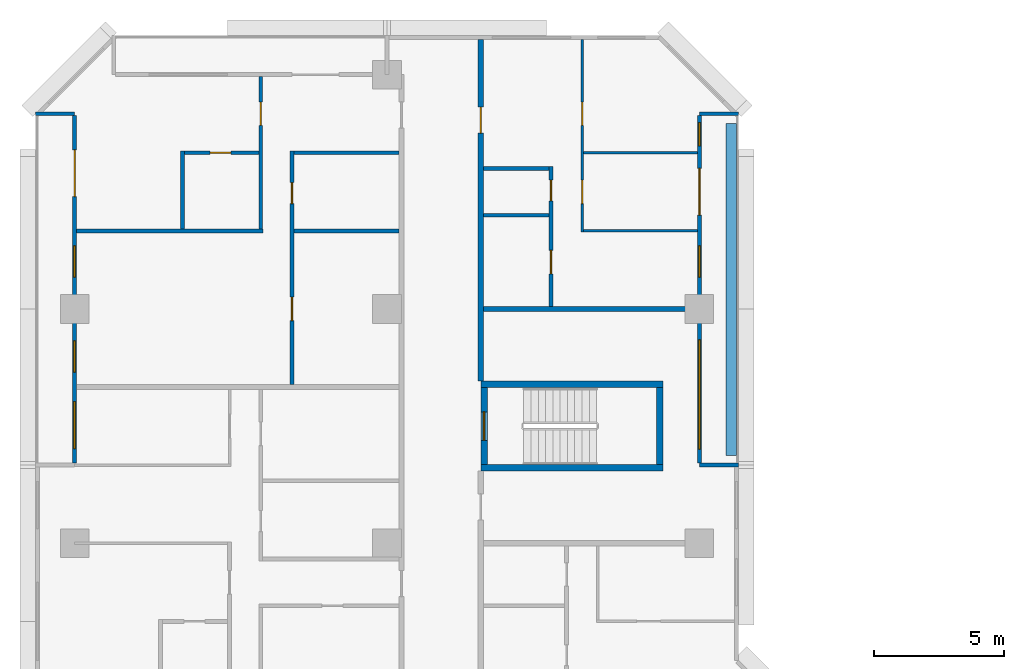
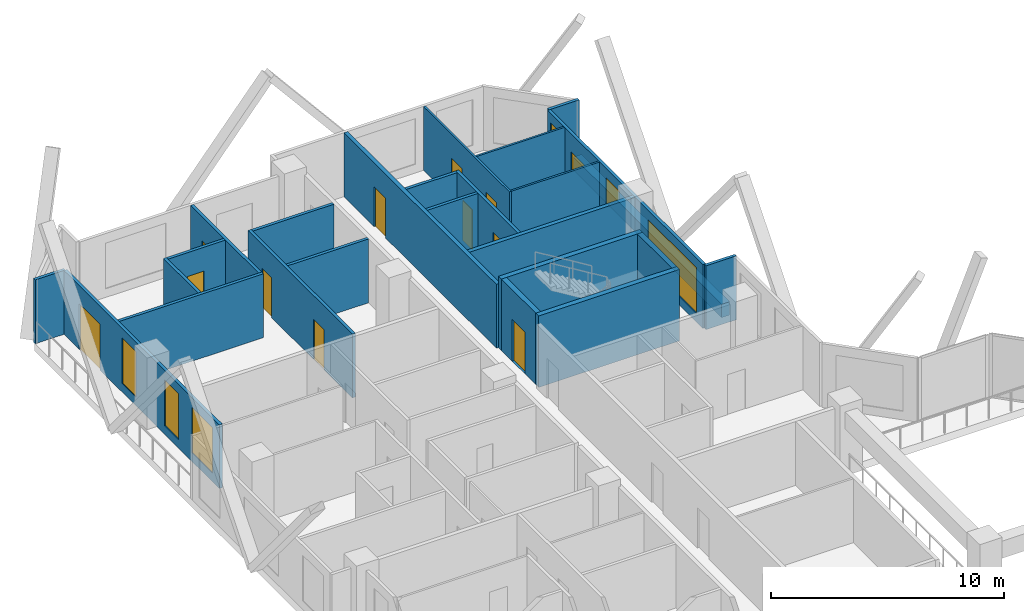
# One storey, part 10 of 15: 25 walls, 12 doors, 6 windows, 18 openings.
"""IFC4 building model written with IfcOpenShell, lengths in metres."""

from ifc_helpers import new_model, si_unit, direction, frame, frame_2d, origin, place, context, subcontext, project, spatial, rectangle, extrude, material, layer, layer_set, type_object, element, fill, save


model = new_model("IFC4")

# Units and contexts
model_context = context("Model", 3, precision=1e-05, world=origin(), true_north=direction((0.0, 1.0)))
body_context = subcontext(model_context, "Body", "Model", "MODEL_VIEW")
ifc_project = project(units=[si_unit("LENGTHUNIT", "METRE"), si_unit("AREAUNIT", "SQUARE_METRE"), si_unit("VOLUMEUNIT", "CUBIC_METRE"), si_unit("PLANEANGLEUNIT", "RADIAN"), si_unit("MASSUNIT", "GRAM", prefix="KILO")], contexts=[model_context])

# Site, building, storey
site_placement = place(None, origin())
site = spatial("IfcSite", under=ifc_project, at=site_placement, CompositionType="ELEMENT")
building_placement = place(site_placement, origin())
building = spatial("IfcBuilding", under=site, at=building_placement, Name="Chenar Terraces", CompositionType="ELEMENT")
storey_placement = place(building_placement, frame((0.0, 0.0, 48.89990234375)))
storey = spatial("IfcBuildingStorey", under=building, at=storey_placement, Name="L09", CompositionType="ELEMENT", Elevation=48.89990234375)

# Walls
ifc_material_1 = material(Name="Concrete C70/85", Category="concrete")
ifc_layer_1 = layer(ifc_material_1, 0.25)
ifc_layer_set_1 = layer_set([ifc_layer_1], Name="Concrete C70/85")
wall_type_1 = type_object("IfcWallType", Name="Core wall 250 Concrete C70/85", PredefinedType="SHEAR", material=ifc_layer_set_1)
for number, where, z_axis, x_axis, name in (
    (1, (15.60009765625, 47.89990234375, 0.0), (0.0, 0.0, 1.0), (1.0, 0.0, 0.0), "Core wall ST4_S L09"),
    (2, (15.60009765625, 51.10009765625, 0.0), (0.0, 0.0, 1.0), (1.0, 0.0, 0.0), "Core wall ST4_N L09"),
):
    element("IfcWall", number, at=place(storey_placement, frame(where, z_axis=z_axis, x_axis=x_axis)), inside=storey, type_object=wall_type_1, Name=name, PredefinedType="SHEAR", context=body_context, shape_type="SweptSolid", body=[
        extrude(rectangle(XDim=7.0, YDim=0.25, at=frame_2d((3.5, 0.0))), origin(), (0.0, 0.0, 1.0), 3.75),
    ])

# Wall, opening, door
wall_1_placement = place(storey_placement, frame((15.72509765625, 48.02490234375, 0.0), z_axis=(0.0, 0.0, 1.0), x_axis=(0.0, 1.0, 0.0)))
wall_1 = element("IfcWall", 3, at=wall_1_placement, inside=storey, type_object=wall_type_1, Name="Core wall ST4_W L09", PredefinedType="SHEAR", context=body_context, shape_type="SweptSolid", body=[
    extrude(rectangle(XDim=2.9501953125, YDim=0.25, at=frame_2d((1.47509765625, 0.0))), origin(), (0.0, 0.0, 1.0), 3.75),
])
opening_1_placement = place(wall_1_placement, frame((0.925048828125, 0.0, 0.0)))
opening_1 = element("IfcOpeningElement", 4, at=opening_1_placement, cuts=wall_1, Name="Opening DL09-C9", PredefinedType="OPENING", context=body_context, shape_type="SweptSolid", body=[
    extrude(rectangle(XDim=1.10009765625, YDim=2.199951171875, at=frame_2d((0.550048828125, 1.10009765625))), frame((0.0, 0.135009765625, 0.0), z_axis=(0.0, -1.0, 0.0), x_axis=(1.0, 0.0, 0.0)), (0.0, 0.0, 1.0), 0.27001953125),
])
ifc_material_2 = material(Name="Steel-framed fire-resisting door leaf", Category="steel")
door_type_1 = type_object("IfcDoorType", Name="Stair fire door FD60 1100 x 2200", OperationType="SINGLE_SWING_LEFT", PredefinedType="DOOR", material=ifc_material_2)
door_1_placement = place(opening_1_placement, frame((1.10009765625, 0.0, 0.0), z_axis=(0.0, 0.0, 1.0), x_axis=(-1.0, 0.0, 0.0)))
door_1 = element("IfcDoor", 5, at=door_1_placement, inside=storey, type_object=door_type_1, Name="Stair door DL09-C9", OperationType="SINGLE_SWING_RIGHT", OverallHeight=2.199951171875, OverallWidth=1.10009765625, PredefinedType="DOOR", context=body_context, shape_type="SweptSolid", body=[
    extrude(rectangle(XDim=1.10009765625, YDim=2.199951171875, at=frame_2d((0.550048828125, 1.10009765625))), frame((0.0, 0.02490234375, 0.0), z_axis=(0.0, -1.0, 0.0), x_axis=(1.0, 0.0, 0.0)), (0.0, 0.0, 1.0), 0.050048828125),
])
fill(opening_1, door_1)

# Wall
wall_2_placement = place(storey_placement, frame((22.47509765625, 48.02490234375, 0.0), z_axis=(0.0, 0.0, 1.0), x_axis=(0.0, 1.0, 0.0)))
element("IfcWall", 6, at=wall_2_placement, inside=storey, type_object=wall_type_1, Name="Core wall ST4_E L09", PredefinedType="SHEAR", context=body_context, shape_type="SweptSolid", body=[
    extrude(rectangle(XDim=2.9501953125, YDim=0.25, at=frame_2d((1.47509765625, 0.0))), origin(), (0.0, 0.0, 1.0), 3.75),
])

# Wall, opening, door
ifc_material_3 = material(Name="Gypsum board on steel studs with fire boards", Category="steel")
ifc_layer_2 = layer(ifc_material_3, 0.199951171875)
ifc_layer_set_2 = layer_set([ifc_layer_2], Name="Gypsum board on steel studs with fire boards")
wall_type_2 = type_object("IfcWallType", Name="Corridor wall 200", PredefinedType="PARTITIONING", material=ifc_layer_set_2)
wall_3_placement = place(storey_placement, frame((15.60009765625, 51.22509765625, 0.0), z_axis=(0.0, 0.0, 1.0), x_axis=(0.0, 1.0, 0.0)))
wall_3 = element("IfcWall", 7, at=wall_3_placement, inside=storey, type_object=wall_type_2, Name="Partition L09-045", PredefinedType="PARTITIONING", context=body_context, shape_type="SweptSolid", body=[
    extrude(rectangle(XDim=13.125, YDim=0.199951171875, at=frame_2d((6.5625, 0.0))), origin(), (0.0, 0.0, 1.0), 3.35009765625),
])
opening_2_placement = place(wall_3_placement, frame((9.52490234375, 0.0, 0.0)))
opening_2 = element("IfcOpeningElement", 8, at=opening_2_placement, cuts=wall_3, Name="Opening DL09-31", PredefinedType="OPENING", context=body_context, shape_type="SweptSolid", body=[
    extrude(rectangle(XDim=1.0, YDim=2.10009765625, at=frame_2d((0.5, 1.050048828125))), frame((0.0, 0.10986328125, 0.0), z_axis=(0.0, -1.0, 0.0), x_axis=(1.0, 0.0, 0.0)), (0.0, 0.0, 1.0), 0.219970703125),
])
ifc_material_4 = material(Name="Steel-framed fire-resisting door leaf", Category="steel")
door_type_2 = type_object("IfcDoorType", Name="Fire door FD30S 1000 x 2100", OperationType="SINGLE_SWING_LEFT", PredefinedType="DOOR", material=ifc_material_4)
door_2_placement = place(opening_2_placement, frame((1.0, 0.0, 0.0), z_axis=(0.0, 0.0, 1.0), x_axis=(-1.0, 0.0, 0.0)))
door_2 = element("IfcDoor", 9, at=door_2_placement, inside=storey, type_object=door_type_2, Name="Door DL09-31", OperationType="SINGLE_SWING_RIGHT", OverallHeight=2.10009765625, OverallWidth=1.0, PredefinedType="DOOR", context=body_context, shape_type="SweptSolid", body=[
    extrude(rectangle(XDim=1.0, YDim=2.10009765625, at=frame_2d((0.5, 1.050048828125))), frame((0.0, 0.02490234375, 0.0), z_axis=(0.0, -1.0, 0.0), x_axis=(1.0, 0.0, 0.0)), (0.0, 0.0, 1.0), 0.050048828125),
])
fill(opening_2, door_2)

# Wall, openings, windows, door
ifc_material_5 = material(Name="Aluminium framed glazing", Category="aluminium")
ifc_layer_3 = layer(ifc_material_5, 0.14990234375)
ifc_layer_set_3 = layer_set([ifc_layer_3], Name="Aluminium framed glazing")
wall_type_3 = type_object("IfcWallType", Name="Glazed loggia back wall 150", PredefinedType="SOLIDWALL", material=ifc_layer_set_3)
wall_4_placement = place(storey_placement, frame((24.0, 48.074951171875, 0.0), z_axis=(0.0, 0.0, 1.0), x_axis=(0.0, 1.0, 0.0)))
wall_4 = element("IfcWall", 10, at=wall_4_placement, inside=storey, type_object=wall_type_3, Name="Glazed loggia back wall", PredefinedType="SOLIDWALL", context=body_context, shape_type="SweptSolid", body=[
    extrude(rectangle(XDim=13.35009765625, YDim=0.14990234375, at=frame_2d((6.675048828125, 0.0))), origin(), (0.0, 0.0, 1.0), 3.35009765625),
])
opening_3_placement = place(wall_4_placement, frame((0.53759765625, 0.0, 0.449951171875)))
opening_3 = element("IfcOpeningElement", 11, at=opening_3_placement, cuts=wall_4, Name="Opening W420x240", PredefinedType="OPENING", context=body_context, shape_type="SweptSolid", body=[
    extrude(rectangle(XDim=4.199951171875, YDim=2.39990234375, at=frame_2d((2.10009765625, 1.199951171875))), frame((0.0, 0.0849609375, 0.0), z_axis=(0.0, -1.0, 0.0), x_axis=(1.0, 0.0, 0.0)), (0.0, 0.0, 1.0), 0.169921875),
])
opening_4_placement = place(wall_4_placement, frame((7.14990234375, 0.0, 0.449951171875)))
opening_4 = element("IfcOpeningElement", 12, at=opening_4_placement, cuts=wall_4, Name="Opening W120x240", PredefinedType="OPENING", context=body_context, shape_type="SweptSolid", body=[
    extrude(rectangle(XDim=1.199951171875, YDim=2.39990234375, at=frame_2d((0.60009765625, 1.199951171875))), frame((0.0, 0.0849609375, 0.0), z_axis=(0.0, -1.0, 0.0), x_axis=(1.0, 0.0, 0.0)), (0.0, 0.0, 1.0), 0.169921875),
])
opening_5_placement = place(wall_4_placement, frame((9.52490234375, 0.0, 0.0)))
opening_5 = element("IfcOpeningElement", 13, at=opening_5_placement, cuts=wall_4, Name="Opening DL09-G1", PredefinedType="OPENING", context=body_context, shape_type="SweptSolid", body=[
    extrude(rectangle(XDim=1.800048828125, YDim=2.39990234375, at=frame_2d((0.89990234375, 1.199951171875))), frame((0.0, 0.0849609375, 0.0), z_axis=(0.0, -1.0, 0.0), x_axis=(1.0, 0.0, 0.0)), (0.0, 0.0, 1.0), 0.169921875),
])
opening_6_placement = place(wall_4_placement, frame((12.1875, 0.0, 0.449951171875)))
opening_6 = element("IfcOpeningElement", 14, at=opening_6_placement, cuts=wall_4, Name="Opening W90x240", PredefinedType="OPENING", context=body_context, shape_type="SweptSolid", body=[
    extrude(rectangle(XDim=0.89990234375, YDim=2.39990234375, at=frame_2d((0.449951171875, 1.199951171875))), frame((0.0, 0.0849609375, 0.0), z_axis=(0.0, -1.0, 0.0), x_axis=(1.0, 0.0, 0.0)), (0.0, 0.0, 1.0), 0.169921875),
])
ifc_material_6 = material(Name="Low emissivity double glazing, aluminium frame", Category="aluminium")
window_type_1 = type_object("IfcWindowType", Name="Fixed light 1200 x 2400", PartitioningType="SINGLE_PANEL", PredefinedType="WINDOW", material=ifc_material_6)
window_1_placement = place(opening_4_placement, origin())
window_1 = element("IfcWindow", 15, at=window_1_placement, inside=storey, type_object=window_type_1, Name="Window", OverallHeight=2.39990234375, OverallWidth=1.199951171875, PartitioningType="SINGLE_PANEL", PredefinedType="WINDOW", context=body_context, shape_type="SweptSolid", body=[
    extrude(rectangle(XDim=1.199951171875, YDim=2.39990234375, at=frame_2d((0.60009765625, 1.199951171875))), frame((0.0, 0.030029296875, 0.0), z_axis=(0.0, -1.0, 0.0), x_axis=(1.0, 0.0, 0.0)), (0.0, 0.0, 1.0), 0.06005859375),
])
fill(opening_4, window_1)
ifc_material_7 = material(Name="Low emissivity double glazing, aluminium frame", Category="aluminium")
window_type_2 = type_object("IfcWindowType", Name="Fixed light 4200 x 2400", PartitioningType="SINGLE_PANEL", PredefinedType="WINDOW", material=ifc_material_7)
window_2_placement = place(opening_3_placement, origin())
window_2 = element("IfcWindow", 16, at=window_2_placement, inside=storey, type_object=window_type_2, Name="Window", OverallHeight=2.39990234375, OverallWidth=4.199951171875, PartitioningType="SINGLE_PANEL", PredefinedType="WINDOW", context=body_context, shape_type="SweptSolid", body=[
    extrude(rectangle(XDim=4.199951171875, YDim=2.39990234375, at=frame_2d((2.10009765625, 1.199951171875))), frame((0.0, 0.030029296875, 0.0), z_axis=(0.0, -1.0, 0.0), x_axis=(1.0, 0.0, 0.0)), (0.0, 0.0, 1.0), 0.06005859375),
])
fill(opening_3, window_2)
ifc_material_8 = material(Name="Low emissivity double glazing, aluminium frame", Category="aluminium")
window_type_3 = type_object("IfcWindowType", Name="Fixed light 900 x 2400", PartitioningType="SINGLE_PANEL", PredefinedType="WINDOW", material=ifc_material_8)
window_3_placement = place(opening_6_placement, origin())
window_3 = element("IfcWindow", 17, at=window_3_placement, inside=storey, type_object=window_type_3, Name="Window", OverallHeight=2.39990234375, OverallWidth=0.89990234375, PartitioningType="SINGLE_PANEL", PredefinedType="WINDOW", context=body_context, shape_type="SweptSolid", body=[
    extrude(rectangle(XDim=0.89990234375, YDim=2.39990234375, at=frame_2d((0.449951171875, 1.199951171875))), frame((0.0, 0.030029296875, 0.0), z_axis=(0.0, -1.0, 0.0), x_axis=(1.0, 0.0, 0.0)), (0.0, 0.0, 1.0), 0.06005859375),
])
fill(opening_6, window_3)
ifc_material_9 = material(Name="Low emissivity double glazing, aluminium frame", Category="aluminium")
door_type_3 = type_object("IfcDoorType", Name="Loggia glazed double door 1800 x 2400", OperationType="DOUBLE_DOOR_SINGLE_SWING", PredefinedType="DOOR", material=ifc_material_9)
door_3_placement = place(opening_5_placement, frame((1.800048828125, 0.0, 0.0), z_axis=(0.0, 0.0, 1.0), x_axis=(-1.0, 0.0, 0.0)))
door_3 = element("IfcDoor", 18, at=door_3_placement, inside=storey, type_object=door_type_3, Name="Loggia glazed door", OperationType="DOUBLE_DOOR_SINGLE_SWING", OverallHeight=2.39990234375, OverallWidth=1.800048828125, PredefinedType="DOOR", context=body_context, shape_type="SweptSolid", body=[
    extrude(rectangle(XDim=1.800048828125, YDim=2.39990234375, at=frame_2d((0.89990234375, 1.199951171875))), frame((0.0, 0.02490234375, 0.0), z_axis=(0.0, -1.0, 0.0), x_axis=(1.0, 0.0, 0.0)), (0.0, 0.0, 1.0), 0.050048828125),
])
fill(opening_5, door_3)

wall_5_placement = place(storey_placement, frame((0.0, 61.425048828125, 0.0), z_axis=(0.0, 0.0, 1.0), x_axis=(0.0, -1.0, 0.0)))
wall_5 = element("IfcWall", 19, at=wall_5_placement, inside=storey, type_object=wall_type_3, Name="Glazed loggia back wall", PredefinedType="SOLIDWALL", context=body_context, shape_type="SweptSolid", body=[
    extrude(rectangle(XDim=13.35009765625, YDim=0.14990234375, at=frame_2d((6.675048828125, 0.0))), origin(), (0.0, 0.0, 1.0), 3.35009765625),
])
opening_7_placement = place(wall_5_placement, frame((1.3125, 0.0, 0.0)))
opening_7 = element("IfcOpeningElement", 20, at=opening_7_placement, cuts=wall_5, Name="Opening DL09-G3", PredefinedType="OPENING", context=body_context, shape_type="SweptSolid", body=[
    extrude(rectangle(XDim=1.800048828125, YDim=2.39990234375, at=frame_2d((0.89990234375, 1.199951171875))), frame((0.0, 0.0849609375, 0.0), z_axis=(0.0, -1.0, 0.0), x_axis=(1.0, 0.0, 0.0)), (0.0, 0.0, 1.0), 0.169921875),
])
opening_8_placement = place(wall_5_placement, frame((5.0, 0.0, 0.449951171875)))
opening_8 = element("IfcOpeningElement", 21, at=opening_8_placement, cuts=wall_5, Name="Opening W120x240", PredefinedType="OPENING", context=body_context, shape_type="SweptSolid", body=[
    extrude(rectangle(XDim=1.199951171875, YDim=2.39990234375, at=frame_2d((0.60009765625, 1.199951171875))), frame((0.0, 0.0849609375, 0.0), z_axis=(0.0, -1.0, 0.0), x_axis=(1.0, 0.0, 0.0)), (0.0, 0.0, 1.0), 0.169921875),
])
opening_9_placement = place(wall_5_placement, frame((8.64990234375, 0.0, 0.449951171875)))
opening_9 = element("IfcOpeningElement", 22, at=opening_9_placement, cuts=wall_5, Name="Opening W120x240", PredefinedType="OPENING", context=body_context, shape_type="SweptSolid", body=[
    extrude(rectangle(XDim=1.199951171875, YDim=2.39990234375, at=frame_2d((0.60009765625, 1.199951171875))), frame((0.0, 0.0849609375, 0.0), z_axis=(0.0, -1.0, 0.0), x_axis=(1.0, 0.0, 0.0)), (0.0, 0.0, 1.0), 0.169921875),
])
opening_10_placement = place(wall_5_placement, frame((10.987548828125, 0.0, 0.449951171875)))
opening_10 = element("IfcOpeningElement", 23, at=opening_10_placement, cuts=wall_5, Name="Opening W180x240", PredefinedType="OPENING", context=body_context, shape_type="SweptSolid", body=[
    extrude(rectangle(XDim=1.800048828125, YDim=2.39990234375, at=frame_2d((0.89990234375, 1.199951171875))), frame((0.0, 0.0849609375, 0.0), z_axis=(0.0, -1.0, 0.0), x_axis=(1.0, 0.0, 0.0)), (0.0, 0.0, 1.0), 0.169921875),
])
window_4_placement = place(opening_8_placement, origin())
window_4 = element("IfcWindow", 24, at=window_4_placement, inside=storey, type_object=window_type_1, Name="Window", OverallHeight=2.39990234375, OverallWidth=1.199951171875, PartitioningType="SINGLE_PANEL", PredefinedType="WINDOW", context=body_context, shape_type="SweptSolid", body=[
    extrude(rectangle(XDim=1.199951171875, YDim=2.39990234375, at=frame_2d((0.60009765625, 1.199951171875))), frame((0.0, 0.030029296875, 0.0), z_axis=(0.0, -1.0, 0.0), x_axis=(1.0, 0.0, 0.0)), (0.0, 0.0, 1.0), 0.06005859375),
])
fill(opening_8, window_4)
window_5_placement = place(opening_9_placement, origin())
window_5 = element("IfcWindow", 25, at=window_5_placement, inside=storey, type_object=window_type_1, Name="Window", OverallHeight=2.39990234375, OverallWidth=1.199951171875, PartitioningType="SINGLE_PANEL", PredefinedType="WINDOW", context=body_context, shape_type="SweptSolid", body=[
    extrude(rectangle(XDim=1.199951171875, YDim=2.39990234375, at=frame_2d((0.60009765625, 1.199951171875))), frame((0.0, 0.030029296875, 0.0), z_axis=(0.0, -1.0, 0.0), x_axis=(1.0, 0.0, 0.0)), (0.0, 0.0, 1.0), 0.06005859375),
])
fill(opening_9, window_5)
ifc_material_10 = material(Name="Low emissivity double glazing, aluminium frame", Category="aluminium")
window_type_4 = type_object("IfcWindowType", Name="Fixed light 1800 x 2400", PartitioningType="SINGLE_PANEL", PredefinedType="WINDOW", material=ifc_material_10)
window_6_placement = place(opening_10_placement, origin())
window_6 = element("IfcWindow", 26, at=window_6_placement, inside=storey, type_object=window_type_4, Name="Window", OverallHeight=2.39990234375, OverallWidth=1.800048828125, PartitioningType="SINGLE_PANEL", PredefinedType="WINDOW", context=body_context, shape_type="SweptSolid", body=[
    extrude(rectangle(XDim=1.800048828125, YDim=2.39990234375, at=frame_2d((0.89990234375, 1.199951171875))), frame((0.0, 0.030029296875, 0.0), z_axis=(0.0, -1.0, 0.0), x_axis=(1.0, 0.0, 0.0)), (0.0, 0.0, 1.0), 0.06005859375),
])
fill(opening_10, window_6)
door_4_placement = place(opening_7_placement, frame((1.800048828125, 0.0, 0.0), z_axis=(0.0, 0.0, 1.0), x_axis=(-1.0, 0.0, 0.0)))
door_4 = element("IfcDoor", 27, at=door_4_placement, inside=storey, type_object=door_type_3, Name="Loggia glazed door", OperationType="DOUBLE_DOOR_SINGLE_SWING", OverallHeight=2.39990234375, OverallWidth=1.800048828125, PredefinedType="DOOR", context=body_context, shape_type="SweptSolid", body=[
    extrude(rectangle(XDim=1.800048828125, YDim=2.39990234375, at=frame_2d((0.89990234375, 1.199951171875))), frame((0.0, 0.02490234375, 0.0), z_axis=(0.0, -1.0, 0.0), x_axis=(1.0, 0.0, 0.0)), (0.0, 0.0, 1.0), 0.050048828125),
])
fill(opening_7, door_4)

# Wall, openings, doors
ifc_material_11 = material(Name="Gypsum board on steel studs", Category="steel")
ifc_layer_4 = layer(ifc_material_11, 0.10009765625)
ifc_layer_set_4 = layer_set([ifc_layer_4], Name="Gypsum board on steel studs")
wall_type_4 = type_object("IfcWallType", Name="Gypsum partition 100", PredefinedType="PARTITIONING", material=ifc_layer_set_4)
wall_6_placement = place(storey_placement, frame((19.5, 56.949951171875, 0.0), z_axis=(0.0, 0.0, 1.0), x_axis=(0.0, 1.0, 0.0)))
wall_6 = element("IfcWall", 28, at=wall_6_placement, inside=storey, type_object=wall_type_4, Name="Partition L09-058", PredefinedType="PARTITIONING", context=body_context, shape_type="SweptSolid", body=[
    extrude(rectangle(XDim=7.400146484375, YDim=0.10009765625, at=frame_2d((3.7001953125, 0.0))), origin(), (0.0, 0.0, 1.0), 3.35009765625),
])
opening_11_placement = place(wall_6_placement, frame((1.10009765625, 0.0, 0.0)))
opening_11 = element("IfcOpeningElement", 29, at=opening_11_placement, cuts=wall_6, Name="Opening DL09-28", PredefinedType="OPENING", context=body_context, shape_type="SweptSolid", body=[
    extrude(rectangle(XDim=0.89990234375, YDim=2.10009765625, at=frame_2d((0.449951171875, 1.050048828125))), frame((0.0, 0.06005859375, 0.0), z_axis=(0.0, -1.0, 0.0), x_axis=(1.0, 0.0, 0.0)), (0.0, 0.0, 1.0), 0.1201171875),
])
opening_12_placement = place(wall_6_placement, frame((4.10009765625, 0.0, 0.0)))
opening_12 = element("IfcOpeningElement", 30, at=opening_12_placement, cuts=wall_6, Name="Opening DL09-29", PredefinedType="OPENING", context=body_context, shape_type="SweptSolid", body=[
    extrude(rectangle(XDim=0.89990234375, YDim=2.10009765625, at=frame_2d((0.449951171875, 1.050048828125))), frame((0.0, 0.06005859375, 0.0), z_axis=(0.0, -1.0, 0.0), x_axis=(1.0, 0.0, 0.0)), (0.0, 0.0, 1.0), 0.1201171875),
])
ifc_material_12 = material(Name="Veneered timber door leaf", Category="wood")
door_type_4 = type_object("IfcDoorType", Name="Door 900 x 2100", OperationType="SINGLE_SWING_LEFT", PredefinedType="DOOR", material=ifc_material_12)
door_5_placement = place(opening_11_placement, frame((0.89990234375, 0.0, 0.0), z_axis=(0.0, 0.0, 1.0), x_axis=(-1.0, 0.0, 0.0)))
door_5 = element("IfcDoor", 31, at=door_5_placement, inside=storey, type_object=door_type_4, Name="Door DL09-28", OperationType="SINGLE_SWING_RIGHT", OverallHeight=2.10009765625, OverallWidth=0.89990234375, PredefinedType="DOOR", context=body_context, shape_type="SweptSolid", body=[
    extrude(rectangle(XDim=0.89990234375, YDim=2.10009765625, at=frame_2d((0.449951171875, 1.050048828125))), frame((0.0, 0.02490234375, 0.0), z_axis=(0.0, -1.0, 0.0), x_axis=(1.0, 0.0, 0.0)), (0.0, 0.0, 1.0), 0.050048828125),
])
fill(opening_11, door_5)
door_6_placement = place(opening_12_placement, frame((0.89990234375, 0.0, 0.0), z_axis=(0.0, 0.0, 1.0), x_axis=(-1.0, 0.0, 0.0)))
door_6 = element("IfcDoor", 32, at=door_6_placement, inside=storey, type_object=door_type_4, Name="Door DL09-29", OperationType="SINGLE_SWING_RIGHT", OverallHeight=2.10009765625, OverallWidth=0.89990234375, PredefinedType="DOOR", context=body_context, shape_type="SweptSolid", body=[
    extrude(rectangle(XDim=0.89990234375, YDim=2.10009765625, at=frame_2d((0.449951171875, 1.050048828125))), frame((0.0, 0.02490234375, 0.0), z_axis=(0.0, -1.0, 0.0), x_axis=(1.0, 0.0, 0.0)), (0.0, 0.0, 1.0), 0.050048828125),
])
fill(opening_12, door_6)

# Walls
for number, where, z_axis, x_axis, name in (
    (33, (19.550048828125, 57.0, 0.0), (0.0, 0.0, 1.0), (1.0, 0.0, 0.0), "Partition L09-059"),
    (34, (19.550048828125, 60.0, 0.0), (0.0, 0.0, 1.0), (1.0, 0.0, 0.0), "Partition L09-060"),
):
    element("IfcWall", number, at=place(storey_placement, frame(where, z_axis=z_axis, x_axis=x_axis)), inside=storey, type_object=wall_type_4, Name=name, PredefinedType="PARTITIONING", context=body_context, shape_type="SweptSolid", body=[
        extrude(rectangle(XDim=4.3759765625, YDim=0.10009765625, at=frame_2d((2.18798828125, 0.0))), origin(), (0.0, 0.0, 1.0), 3.35009765625),
    ])
ifc_material_13 = material(Name="Terracotta cladding on insulated backing", Category="masonry")
ifc_layer_5 = layer(ifc_material_13, 0.14990234375)
ifc_layer_set_5 = layer_set([ifc_layer_5], Name="Terracotta cladding on insulated backing")
wall_type_5 = type_object("IfcWallType", Name="Loggia return wall 150", PredefinedType="SOLIDWALL", material=ifc_layer_set_5)
for number, where, z_axis, x_axis, name in (
    (35, (25.5, 48.0, 0.0), (0.0, 0.0, 1.0), (-1.0, 0.0, 0.0), "Loggia return wall"),
    (36, (25.5, 61.5, 0.0), (0.0, 0.0, 1.0), (-1.0, 0.0, 0.0), "Loggia return wall"),
    (37, (-1.5, 61.5, 0.0), (0.0, 0.0, 1.0), (1.0, 0.0, 0.0), "Loggia return wall"),
):
    element("IfcWall", number, at=place(storey_placement, frame(where, z_axis=z_axis, x_axis=x_axis)), inside=storey, type_object=wall_type_5, Name=name, PredefinedType="SOLIDWALL", context=body_context, shape_type="SweptSolid", body=[
        extrude(rectangle(XDim=1.5, YDim=0.14990234375, at=frame_2d((0.75, 0.0))), origin(), (0.0, 0.0, 1.0), 3.35009765625),
    ])
ifc_material_14 = material(Name="Twin gypsum board on steel studs with mineral wool", Category="steel")
ifc_layer_6 = layer(ifc_material_14, 0.199951171875)
ifc_layer_set_6 = layer_set([ifc_layer_6], Name="Twin gypsum board on steel studs with mineral wool")
wall_type_6 = type_object("IfcWallType", Name="Unit demising wall 200", PredefinedType="PARTITIONING", material=ifc_layer_set_6)
wall_7_placement = place(storey_placement, frame((15.699951171875, 54.0, 0.0), z_axis=(0.0, 0.0, 1.0), x_axis=(1.0, 0.0, 0.0)))
element("IfcWall", 38, at=wall_7_placement, inside=storey, type_object=wall_type_6, Name="Partition L09-052", PredefinedType="PARTITIONING", context=body_context, shape_type="SweptSolid", body=[
    extrude(rectangle(XDim=8.22607421875, YDim=0.199951171875, at=frame_2d((4.113037109375, 0.0))), origin(), (0.0, 0.0, 1.0), 3.35009765625),
])
ifc_material_15 = material(Name="GRP planter trough")
ifc_layer_7 = layer(ifc_material_15, 0.39990234375)
ifc_layer_set_7 = layer_set([ifc_layer_7], Name="GRP planter trough")
wall_type_7 = type_object("IfcWallType", Name="Vertical greenery planter 400", PredefinedType="SOLIDWALL", material=ifc_layer_set_7)
wall_8_placement = place(storey_placement, frame((25.22900390625, 48.375, 0.0), z_axis=(0.0, 0.0, 1.0), x_axis=(0.0, 1.0, 0.0)))
element("IfcWall", 39, at=wall_8_placement, inside=storey, type_object=wall_type_7, Name="Vertical greenery planter", PredefinedType="SOLIDWALL", context=body_context, shape_type="SweptSolid", body=[
    extrude(rectangle(XDim=12.75, YDim=0.39990234375, at=frame_2d((6.375, 0.0))), origin(), (0.0, 0.0, 1.0), 0.7001953125),
])
ifc_material_16 = material(Name="Moisture-resistant gypsum board on steel studs", Category="steel")
ifc_layer_8 = layer(ifc_material_16, 0.14990234375)
ifc_layer_set_8 = layer_set([ifc_layer_8], Name="Moisture-resistant gypsum board on steel studs")
wall_type_8 = type_object("IfcWallType", Name="Wet-room partition 150", PredefinedType="PARTITIONING", material=ifc_layer_set_8)
wall_9_placement = place(storey_placement, frame((0.073974609375, 57.0, 0.0), z_axis=(0.0, 0.0, 1.0), x_axis=(1.0, 0.0, 0.0)))
element("IfcWall", 40, at=wall_9_placement, inside=storey, type_object=wall_type_8, Name="Partition L09-010", PredefinedType="PARTITIONING", context=body_context, shape_type="SweptSolid", body=[
    extrude(rectangle(XDim=7.151123046875, YDim=0.14990234375, at=frame_2d((3.57568359375, 0.0))), origin(), (0.0, 0.0, 1.0), 3.35009765625),
])
wall_10_placement = place(storey_placement, frame((4.14990234375, 57.074951171875, 0.0), z_axis=(0.0, 0.0, 1.0), x_axis=(0.0, 1.0, 0.0)))
element("IfcWall", 41, at=wall_10_placement, inside=storey, type_object=wall_type_8, Name="Partition L09-016", PredefinedType="PARTITIONING", context=body_context, shape_type="SweptSolid", body=[
    extrude(rectangle(XDim=3.0, YDim=0.14990234375, at=frame_2d((1.5, 0.0))), origin(), (0.0, 0.0, 1.0), 3.35009765625),
])

# Wall, opening, door
wall_11_placement = place(storey_placement, frame((4.22509765625, 60.0, 0.0), z_axis=(0.0, 0.0, 1.0), x_axis=(1.0, 0.0, 0.0)))
wall_11 = element("IfcWall", 42, at=wall_11_placement, inside=storey, type_object=wall_type_8, Name="Partition L09-017", PredefinedType="PARTITIONING", context=body_context, shape_type="SweptSolid", body=[
    extrude(rectangle(XDim=2.849853515625, YDim=0.14990234375, at=frame_2d((1.4248046875, 0.0))), origin(), (0.0, 0.0, 1.0), 3.35009765625),
])
opening_13_placement = place(wall_11_placement, frame((0.97509765625, 0.0, 0.0)))
opening_13 = element("IfcOpeningElement", 43, at=opening_13_placement, cuts=wall_11, Name="Opening DL09-43", PredefinedType="OPENING", context=body_context, shape_type="SweptSolid", body=[
    extrude(rectangle(XDim=0.800048828125, YDim=2.10009765625, at=frame_2d((0.39990234375, 1.050048828125))), frame((0.0, 0.0849609375, 0.0), z_axis=(0.0, -1.0, 0.0), x_axis=(1.0, 0.0, 0.0)), (0.0, 0.0, 1.0), 0.169921875),
])
ifc_material_17 = material(Name="Veneered timber door leaf", Category="wood")
door_type_5 = type_object("IfcDoorType", Name="Door 800 x 2100", OperationType="SINGLE_SWING_LEFT", PredefinedType="DOOR", material=ifc_material_17)
door_7_placement = place(opening_13_placement, frame((0.800048828125, 0.0, 0.0), z_axis=(0.0, 0.0, 1.0), x_axis=(-1.0, 0.0, 0.0)))
door_7 = element("IfcDoor", 44, at=door_7_placement, inside=storey, type_object=door_type_5, Name="Door DL09-43", OperationType="SINGLE_SWING_RIGHT", OverallHeight=2.10009765625, OverallWidth=0.800048828125, PredefinedType="DOOR", context=body_context, shape_type="SweptSolid", body=[
    extrude(rectangle(XDim=0.800048828125, YDim=2.10009765625, at=frame_2d((0.39990234375, 1.050048828125))), frame((0.0, 0.02490234375, 0.0), z_axis=(0.0, -1.0, 0.0), x_axis=(1.0, 0.0, 0.0)), (0.0, 0.0, 1.0), 0.050048828125),
])
fill(opening_13, door_7)

wall_12_placement = place(storey_placement, frame((7.14990234375, 57.074951171875, 0.0), z_axis=(0.0, 0.0, 1.0), x_axis=(0.0, 1.0, 0.0)))
wall_12 = element("IfcWall", 45, at=wall_12_placement, inside=storey, type_object=wall_type_8, Name="Partition L09-026", PredefinedType="PARTITIONING", context=body_context, shape_type="SweptSolid", body=[
    extrude(rectangle(XDim=5.85107421875, YDim=0.14990234375, at=frame_2d((2.925537109375, 0.0))), origin(), (0.0, 0.0, 1.0), 3.35009765625),
])
opening_14_placement = place(wall_12_placement, frame((3.97509765625, 0.0, 0.0)))
opening_14 = element("IfcOpeningElement", 46, at=opening_14_placement, cuts=wall_12, Name="Opening DL09-42", PredefinedType="OPENING", context=body_context, shape_type="SweptSolid", body=[
    extrude(rectangle(XDim=0.89990234375, YDim=2.10009765625, at=frame_2d((0.449951171875, 1.050048828125))), frame((0.0, 0.0849609375, 0.0), z_axis=(0.0, -1.0, 0.0), x_axis=(1.0, 0.0, 0.0)), (0.0, 0.0, 1.0), 0.169921875),
])
door_8_placement = place(opening_14_placement, origin())
door_8 = element("IfcDoor", 47, at=door_8_placement, inside=storey, type_object=door_type_4, Name="Door DL09-42", OperationType="SINGLE_SWING_RIGHT", OverallHeight=2.10009765625, OverallWidth=0.89990234375, PredefinedType="DOOR", context=body_context, shape_type="SweptSolid", body=[
    extrude(rectangle(XDim=0.89990234375, YDim=2.10009765625, at=frame_2d((0.449951171875, 1.050048828125))), frame((0.0, 0.02490234375, 0.0), z_axis=(0.0, -1.0, 0.0), x_axis=(1.0, 0.0, 0.0)), (0.0, 0.0, 1.0), 0.050048828125),
])
fill(opening_14, door_8)

# Wall, openings, doors
wall_13_placement = place(storey_placement, frame((8.35009765625, 51.10009765625, 0.0), z_axis=(0.0, 0.0, 1.0), x_axis=(0.0, 1.0, 0.0)))
wall_13 = element("IfcWall", 48, at=wall_13_placement, inside=storey, type_object=wall_type_8, Name="Partition L09-033", PredefinedType="PARTITIONING", context=body_context, shape_type="SweptSolid", body=[
    extrude(rectangle(XDim=8.974853515625, YDim=0.14990234375, at=frame_2d((4.4873046875, 0.0))), origin(), (0.0, 0.0, 1.0), 3.35009765625),
])
opening_15_placement = place(wall_13_placement, frame((6.949951171875, 0.0, 0.0)))
opening_15 = element("IfcOpeningElement", 49, at=opening_15_placement, cuts=wall_13, Name="Opening DL09-41", PredefinedType="OPENING", context=body_context, shape_type="SweptSolid", body=[
    extrude(rectangle(XDim=0.800048828125, YDim=2.10009765625, at=frame_2d((0.39990234375, 1.050048828125))), frame((0.0, 0.0849609375, 0.0), z_axis=(0.0, -1.0, 0.0), x_axis=(1.0, 0.0, 0.0)), (0.0, 0.0, 1.0), 0.169921875),
])
opening_16_placement = place(wall_13_placement, frame((2.449951171875, 0.0, 0.0)))
opening_16 = element("IfcOpeningElement", 50, at=opening_16_placement, cuts=wall_13, Name="Opening DL09-44", PredefinedType="OPENING", context=body_context, shape_type="SweptSolid", body=[
    extrude(rectangle(XDim=0.89990234375, YDim=2.10009765625, at=frame_2d((0.449951171875, 1.050048828125))), frame((0.0, 0.0849609375, 0.0), z_axis=(0.0, -1.0, 0.0), x_axis=(1.0, 0.0, 0.0)), (0.0, 0.0, 1.0), 0.169921875),
])
door_9_placement = place(opening_15_placement, frame((0.800048828125, 0.0, 0.0), z_axis=(0.0, 0.0, 1.0), x_axis=(-1.0, 0.0, 0.0)))
door_9 = element("IfcDoor", 51, at=door_9_placement, inside=storey, type_object=door_type_5, Name="Door DL09-41", OperationType="SINGLE_SWING_RIGHT", OverallHeight=2.10009765625, OverallWidth=0.800048828125, PredefinedType="DOOR", context=body_context, shape_type="SweptSolid", body=[
    extrude(rectangle(XDim=0.800048828125, YDim=2.10009765625, at=frame_2d((0.39990234375, 1.050048828125))), frame((0.0, 0.02490234375, 0.0), z_axis=(0.0, -1.0, 0.0), x_axis=(1.0, 0.0, 0.0)), (0.0, 0.0, 1.0), 0.050048828125),
])
fill(opening_15, door_9)
door_10_placement = place(opening_16_placement, frame((0.89990234375, 0.0, 0.0), z_axis=(0.0, 0.0, 1.0), x_axis=(-1.0, 0.0, 0.0)))
door_10 = element("IfcDoor", 52, at=door_10_placement, inside=storey, type_object=door_type_4, Name="Door DL09-44", OperationType="SINGLE_SWING_LEFT", OverallHeight=2.10009765625, OverallWidth=0.89990234375, PredefinedType="DOOR", context=body_context, shape_type="SweptSolid", body=[
    extrude(rectangle(XDim=0.89990234375, YDim=2.10009765625, at=frame_2d((0.449951171875, 1.050048828125))), frame((0.0, 0.02490234375, 0.0), z_axis=(0.0, -1.0, 0.0), x_axis=(1.0, 0.0, 0.0)), (0.0, 0.0, 1.0), 0.050048828125),
])
fill(opening_16, door_10)

# Walls
for number, where, z_axis, x_axis, name in (
    (53, (8.425048828125, 57.0, 0.0), (0.0, 0.0, 1.0), (1.0, 0.0, 0.0), "Partition L09-034"),
    (54, (8.425048828125, 60.0, 0.0), (0.0, 0.0, 1.0), (1.0, 0.0, 0.0), "Partition L09-035"),
):
    element("IfcWall", number, at=place(storey_placement, frame(where, z_axis=z_axis, x_axis=x_axis)), inside=storey, type_object=wall_type_8, Name=name, PredefinedType="PARTITIONING", context=body_context, shape_type="SweptSolid", body=[
        extrude(rectangle(XDim=4.02490234375, YDim=0.14990234375, at=frame_2d((2.012451171875, 0.0))), origin(), (0.0, 0.0, 1.0), 3.35009765625),
    ])
for number, where, z_axis, x_axis, name in (
    (55, (15.699951171875, 57.60009765625, 0.0), (0.0, 0.0, 1.0), (1.0, 0.0, 0.0), "Partition L09-053"),
    (56, (15.699951171875, 59.39990234375, 0.0), (0.0, 0.0, 1.0), (1.0, 0.0, 0.0), "Partition L09-054"),
):
    element("IfcWall", number, at=place(storey_placement, frame(where, z_axis=z_axis, x_axis=x_axis)), inside=storey, type_object=wall_type_8, Name=name, PredefinedType="PARTITIONING", context=body_context, shape_type="SweptSolid", body=[
        extrude(rectangle(XDim=2.525146484375, YDim=0.14990234375, at=frame_2d((1.2626953125, 0.0))), origin(), (0.0, 0.0, 1.0), 3.35009765625),
    ])

# Wall, openings, doors
wall_14_placement = place(storey_placement, frame((18.300048828125, 54.10009765625, 0.0), z_axis=(0.0, 0.0, 1.0), x_axis=(0.0, 1.0, 0.0)))
wall_14 = element("IfcWall", 57, at=wall_14_placement, inside=storey, type_object=wall_type_8, Name="Partition L09-056", PredefinedType="PARTITIONING", context=body_context, shape_type="SweptSolid", body=[
    extrude(rectangle(XDim=5.375, YDim=0.14990234375, at=frame_2d((2.6875, 0.0))), origin(), (0.0, 0.0, 1.0), 3.35009765625),
])
opening_17_placement = place(wall_14_placement, frame((4.050048828125, 0.0, 0.0)))
opening_17 = element("IfcOpeningElement", 58, at=opening_17_placement, cuts=wall_14, Name="Opening DL09-27", PredefinedType="OPENING", context=body_context, shape_type="SweptSolid", body=[
    extrude(rectangle(XDim=0.800048828125, YDim=2.10009765625, at=frame_2d((0.39990234375, 1.050048828125))), frame((0.0, 0.0849609375, 0.0), z_axis=(0.0, -1.0, 0.0), x_axis=(1.0, 0.0, 0.0)), (0.0, 0.0, 1.0), 0.169921875),
])
opening_18_placement = place(wall_14_placement, frame((1.25, 0.0, 0.0)))
opening_18 = element("IfcOpeningElement", 59, at=opening_18_placement, cuts=wall_14, Name="Opening DL09-30", PredefinedType="OPENING", context=body_context, shape_type="SweptSolid", body=[
    extrude(rectangle(XDim=0.89990234375, YDim=2.10009765625, at=frame_2d((0.449951171875, 1.050048828125))), frame((0.0, 0.0849609375, 0.0), z_axis=(0.0, -1.0, 0.0), x_axis=(1.0, 0.0, 0.0)), (0.0, 0.0, 1.0), 0.169921875),
])
door_11_placement = place(opening_17_placement, origin())
door_11 = element("IfcDoor", 60, at=door_11_placement, inside=storey, type_object=door_type_5, Name="Door DL09-27", OperationType="SINGLE_SWING_RIGHT", OverallHeight=2.10009765625, OverallWidth=0.800048828125, PredefinedType="DOOR", context=body_context, shape_type="SweptSolid", body=[
    extrude(rectangle(XDim=0.800048828125, YDim=2.10009765625, at=frame_2d((0.39990234375, 1.050048828125))), frame((0.0, 0.02490234375, 0.0), z_axis=(0.0, -1.0, 0.0), x_axis=(1.0, 0.0, 0.0)), (0.0, 0.0, 1.0), 0.050048828125),
])
fill(opening_17, door_11)
door_12_placement = place(opening_18_placement, origin())
door_12 = element("IfcDoor", 61, at=door_12_placement, inside=storey, type_object=door_type_4, Name="Door DL09-30", OperationType="SINGLE_SWING_RIGHT", OverallHeight=2.10009765625, OverallWidth=0.89990234375, PredefinedType="DOOR", context=body_context, shape_type="SweptSolid", body=[
    extrude(rectangle(XDim=0.89990234375, YDim=2.10009765625, at=frame_2d((0.449951171875, 1.050048828125))), frame((0.0, 0.02490234375, 0.0), z_axis=(0.0, -1.0, 0.0), x_axis=(1.0, 0.0, 0.0)), (0.0, 0.0, 1.0), 0.050048828125),
])
fill(opening_18, door_12)

save(model, "model.ifc")
